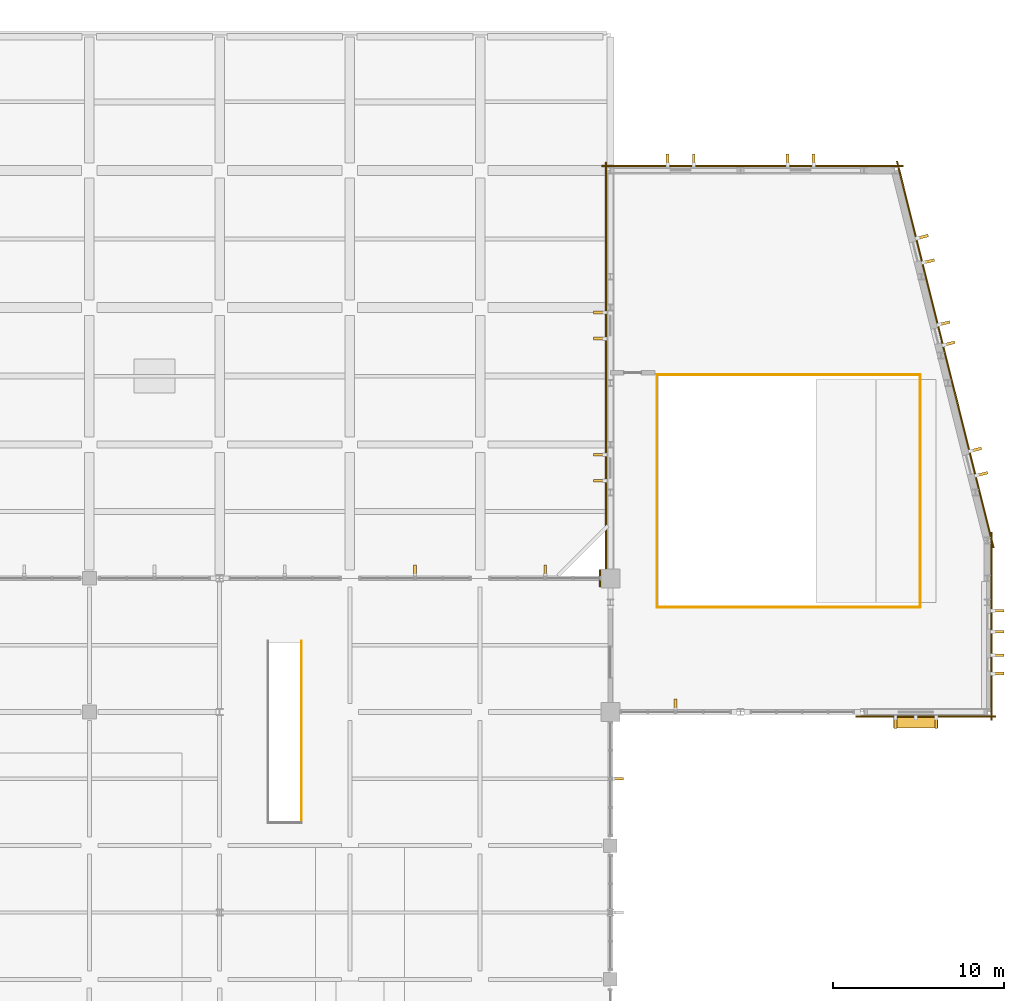
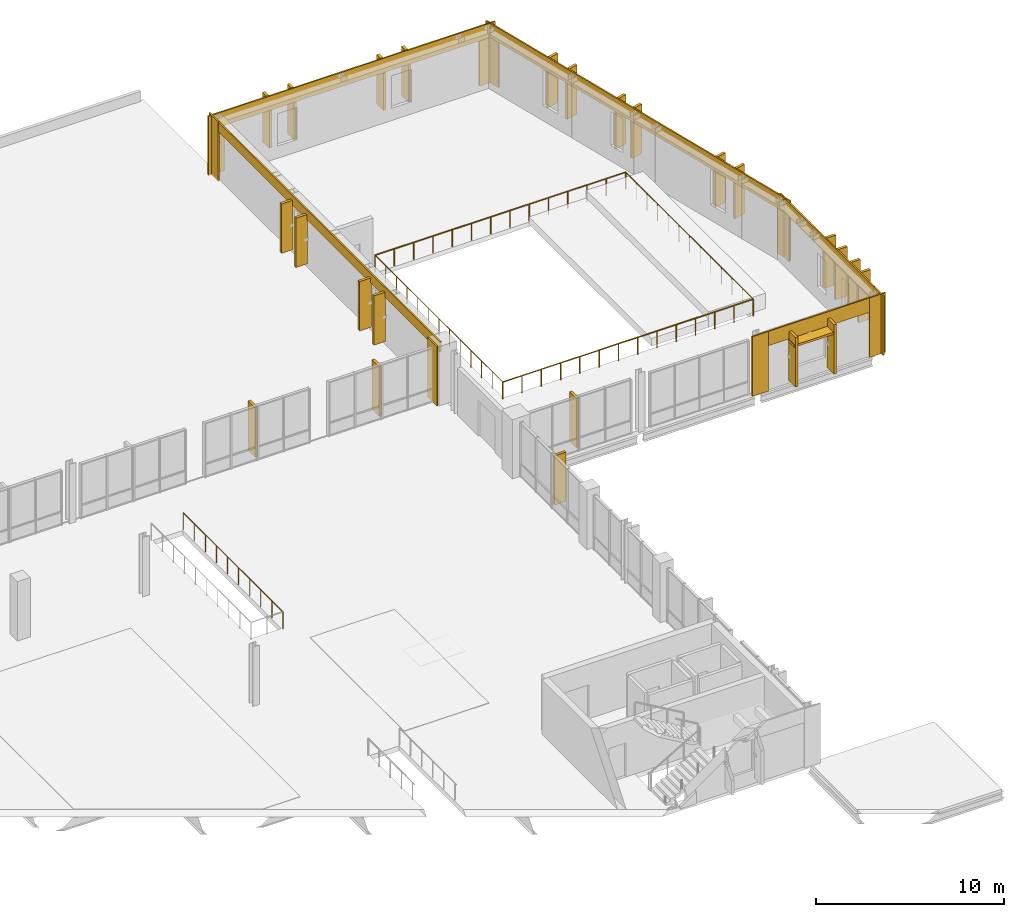
# One storey, part 85 of 85: 25 shading devices, 15 coverings, 5 railings.
"""IFC4 building model written with IfcOpenShell, lengths in metres."""

from ifc_helpers import new_model, si_unit, direction, frame, origin, origin_2d, place, context, subcontext, project, spatial, rectangle, circle, extrude, material, layer, layer_set, type_object, element, save


model = new_model("IFC4")

# Units and contexts
model_context = context("Model", 3, precision=1e-05, world=origin(), true_north=direction((0.0, 1.0)))
body_context = subcontext(model_context, "Body", "Model", "MODEL_VIEW")
ifc_project = project(units=[si_unit("LENGTHUNIT", "METRE"), si_unit("AREAUNIT", "SQUARE_METRE"), si_unit("VOLUMEUNIT", "CUBIC_METRE"), si_unit("PLANEANGLEUNIT", "RADIAN"), si_unit("MASSUNIT", "GRAM", prefix="KILO")], contexts=[model_context])

# Site, building, storey
site_placement = place(None, origin())
site = spatial("IfcSite", under=ifc_project, at=site_placement, CompositionType="ELEMENT")
building_placement = place(site_placement, origin())
building = spatial("IfcBuilding", under=site, at=building_placement, Name="Vervanel Yard Central Library", CompositionType="ELEMENT")
storey_placement = place(building_placement, frame((0.0, 0.0, 5.10009765625)))
storey = spatial("IfcBuildingStorey", under=building, at=storey_placement, Name="L01", CompositionType="ELEMENT", Elevation=5.10009765625)

# Coverings
ifc_material_1 = material(Name="Precast concrete C45/55", Category="concrete")
ifc_layer = layer(ifc_material_1, 0.0849609375, Category="concrete")
ifc_layer_set = layer_set([ifc_layer], Name="Precast concrete C45/55")
covering_type = type_object("IfcCoveringType", Name="Bush-Hammered Precast Architectural Cladding Panel", PredefinedType="CLADDING", material=ifc_layer_set)
covering_1_placement = place(storey_placement, frame((164.39990234375, 74.14990234375, 2.93017578125), z_axis=(0.0, 0.0, 1.0), x_axis=(1.0, 0.0, 0.0)))
element("IfcCovering", 1, at=covering_1_placement, inside=storey, type_object=covering_type, Name="L01 Precast Concrete Spandrel Cornice EWALL-L01-0182", PredefinedType="CLADDING", context=body_context, shape_type="SweptSolid", body=[
    extrude(rectangle(XDim=7.64990234375, YDim=0.0849609375, at=origin_2d()), origin(), (0.0, 0.0, 1.0), 0.929931640625),
])
for number, where, z_axis, x_axis, name in (
    (2, (160.800048828125, 74.1474609375, 0.0), (0.0, 0.0, 1.0), (1.0, 0.0, 0.0), "L01 Precast Concrete Pier Pilaster EWALL-L01-0182-A"),
    (3, (168.0, 74.1474609375, 0.0), (0.0, 0.0, 1.0), (1.0, 0.0, 0.0), "L01 Precast Concrete Pier Pilaster EWALL-L01-0182-B"),
):
    element("IfcCovering", number, at=place(storey_placement, frame(where, z_axis=z_axis, x_axis=x_axis)), inside=storey, type_object=covering_type, Name=name, PredefinedType="CLADDING", context=body_context, shape_type="SweptSolid", body=[
        extrude(rectangle(XDim=0.97998046875, YDim=0.0849609375, at=origin_2d()), origin(), (0.0, 0.0, 1.0), 3.860107421875),
    ])
covering_2_placement = place(storey_placement, frame((168.25, 79.39990234375, 2.93017578125), z_axis=(0.0, 0.0, 1.0), x_axis=(0.0, 1.0, 0.0)))
element("IfcCovering", 4, at=covering_2_placement, inside=storey, type_object=covering_type, Name="L01 Precast Concrete Spandrel Cornice EWALL-L01-0183", PredefinedType="CLADDING", context=body_context, shape_type="SweptSolid", body=[
    extrude(rectangle(XDim=10.449951171875, YDim=0.0849609375, at=origin_2d()), origin(), (0.0, 0.0, 1.0), 0.929931640625),
])
for number, where, z_axis, x_axis, name in (
    (5, (168.25244140625, 74.39990234375, 0.0), (0.0, 0.0, 1.0), (0.0, 1.0, 0.0), "L01 Precast Concrete Pier Pilaster EWALL-L01-0183-A"),
    (6, (168.25244140625, 84.39990234375, 0.0), (0.0, 0.0, 1.0), (0.0, 1.0, 0.0), "L01 Precast Concrete Pier Pilaster EWALL-L01-0183-B"),
):
    element("IfcCovering", number, at=place(storey_placement, frame(where, z_axis=z_axis, x_axis=x_axis)), inside=storey, type_object=covering_type, Name=name, PredefinedType="CLADDING", context=body_context, shape_type="SweptSolid", body=[
        extrude(rectangle(XDim=0.97998046875, YDim=0.0849609375, at=origin_2d()), origin(), (0.0, 0.0, 1.0), 3.860107421875),
    ])
covering_3_placement = place(storey_placement, frame((165.54248046875, 95.260498046875, 2.93017578125), z_axis=(0.0, 0.0, 1.0), x_axis=(-0.242534889029, 0.970142684147, 0.0)))
element("IfcCovering", 7, at=covering_3_placement, inside=storey, type_object=covering_type, Name="L01 Precast Concrete Spandrel Cornice EWALL-L01-0184", PredefinedType="CLADDING", context=body_context, shape_type="SweptSolid", body=[
    extrude(rectangle(XDim=22.71484375, YDim=0.0849609375, at=origin_2d()), origin(), (0.0, 0.0, 1.0), 0.929931640625),
])
for number, where, z_axis, x_axis, name in (
    (8, (168.2451171875, 84.461181640625, 0.0), (0.0, 0.0, 1.0), (-0.242534889029, 0.970142684147, 0.0), "L01 Precast Concrete Pier Pilaster EWALL-L01-0184-A"),
    (9, (162.844970703125, 106.061279296875, 0.0), (0.0, 0.0, 1.0), (-0.242534889029, 0.970142684147, 0.0), "L01 Precast Concrete Pier Pilaster EWALL-L01-0184-B"),
):
    element("IfcCovering", number, at=place(storey_placement, frame(where, z_axis=z_axis, x_axis=x_axis)), inside=storey, type_object=covering_type, Name=name, PredefinedType="CLADDING", context=body_context, shape_type="SweptSolid", body=[
        extrude(rectangle(XDim=0.97998046875, YDim=0.0849609375, at=origin_2d()), origin(), (0.0, 0.0, 1.0), 3.860107421875),
    ])
covering_4_placement = place(storey_placement, frame((154.300048828125, 106.25, 2.93017578125), z_axis=(0.0, 0.0, 1.0), x_axis=(1.0, 0.0, 0.0)))
element("IfcCovering", 10, at=covering_4_placement, inside=storey, type_object=covering_type, Name="L01 Precast Concrete Spandrel Cornice EWALL-L01-0185", PredefinedType="CLADDING", context=body_context, shape_type="SweptSolid", body=[
    extrude(rectangle(XDim=17.050048828125, YDim=0.0849609375, at=origin_2d()), origin(), (0.0, 0.0, 1.0), 0.929931640625),
])
for number, where, z_axis, x_axis, name in (
    (11, (146.0, 106.25244140625, 0.0), (0.0, 0.0, 1.0), (1.0, 0.0, 0.0), "L01 Precast Concrete Pier Pilaster EWALL-L01-0185-A"),
    (12, (162.60009765625, 106.25244140625, 0.0), (0.0, 0.0, 1.0), (1.0, 0.0, 0.0), "L01 Precast Concrete Pier Pilaster EWALL-L01-0185-B"),
):
    element("IfcCovering", number, at=place(storey_placement, frame(where, z_axis=z_axis, x_axis=x_axis)), inside=storey, type_object=covering_type, Name=name, PredefinedType="CLADDING", context=body_context, shape_type="SweptSolid", body=[
        extrude(rectangle(XDim=0.97998046875, YDim=0.0849609375, at=origin_2d()), origin(), (0.0, 0.0, 1.0), 3.860107421875),
    ])
covering_5_placement = place(storey_placement, frame((145.75, 94.10009765625, 3.2197265625), z_axis=(0.0, 0.0, 1.0), x_axis=(0.0, 1.0, 0.0)))
element("IfcCovering", 13, at=covering_5_placement, inside=storey, type_object=covering_type, Name="L01 Precast Concrete Spandrel Cornice EWALL-L01-0190", PredefinedType="CLADDING", context=body_context, shape_type="SweptSolid", body=[
    extrude(rectangle(XDim=24.25, YDim=0.0849609375, at=origin_2d()), origin(), (0.0, 0.0, 1.0), 0.639892578125),
])
for number, where, z_axis, x_axis, name in (
    (14, (145.407470703125, 82.199951171875, 0.0), (0.0, 0.0, 1.0), (0.0, 1.0, 0.0), "L01 Precast Concrete Pier Pilaster EWALL-L01-0190-A"),
    (15, (145.74755859375, 106.0, 0.0), (0.0, 0.0, 1.0), (0.0, 1.0, 0.0), "L01 Precast Concrete Pier Pilaster EWALL-L01-0190-B"),
):
    element("IfcCovering", number, at=place(storey_placement, frame(where, z_axis=z_axis, x_axis=x_axis)), inside=storey, type_object=covering_type, Name=name, PredefinedType="CLADDING", context=body_context, shape_type="SweptSolid", body=[
        extrude(rectangle(XDim=0.97998046875, YDim=0.0849609375, at=origin_2d()), origin(), (0.0, 0.0, 1.0), 3.860107421875),
    ])

# Railings
ifc_material_2 = material(Name="Brushed stainless steel AISI 316", Category="steel")
railing_type = type_object("IfcRailingType", Name="Glazed Atrium & Gallery Balustrade 1120", PredefinedType="BALUSTRADE", material=ifc_material_2)
railing_1_placement = place(storey_placement, frame((127.97998046875, 67.93994140625, 0.0)))
element("IfcRailing", 16, at=railing_1_placement, inside=storey, type_object=railing_type, Name="L01 Void Guard FST-02-L00-WELLGD E", PredefinedType="BALUSTRADE", context=body_context, shape_type="SweptSolid", body=[
    extrude(circle(Radius=0.02392578125, at=origin_2d()), frame((0.0, 0.0, 1.09619140625), z_axis=(0.0, 1.0, 0.0), x_axis=(-1.0, 0.0, 0.0)), (0.0, 0.0, 1.0), 10.5849609375),
    extrude(circle(Radius=0.02099609375, at=origin_2d()), origin(), (0.0, 0.0, 1.0), 1.072021484375),
    extrude(circle(Radius=0.02099609375, at=origin_2d()), frame((0.0, 1.176025390625, 0.0)), (0.0, 0.0, 1.0), 1.072021484375),
    extrude(circle(Radius=0.02099609375, at=origin_2d()), frame((0.0, 2.352294921875, 0.0)), (0.0, 0.0, 1.0), 1.072021484375),
    extrude(circle(Radius=0.02099609375, at=origin_2d()), frame((0.0, 3.5283203125, 0.0)), (0.0, 0.0, 1.0), 1.072021484375),
    extrude(circle(Radius=0.02099609375, at=origin_2d()), frame((0.0, 4.704345703125, 0.0)), (0.0, 0.0, 1.0), 1.072021484375),
    extrude(circle(Radius=0.02099609375, at=origin_2d()), frame((0.0, 5.880615234375, 0.0)), (0.0, 0.0, 1.0), 1.072021484375),
    extrude(circle(Radius=0.02099609375, at=origin_2d()), frame((0.0, 7.056640625, 0.0)), (0.0, 0.0, 1.0), 1.072021484375),
    extrude(circle(Radius=0.02099609375, at=origin_2d()), frame((0.0, 8.232666015625, 0.0)), (0.0, 0.0, 1.0), 1.072021484375),
    extrude(circle(Radius=0.02099609375, at=origin_2d()), frame((0.0, 9.408935546875, 0.0)), (0.0, 0.0, 1.0), 1.072021484375),
    extrude(circle(Radius=0.02099609375, at=origin_2d()), frame((0.0, 10.5849609375, 0.0)), (0.0, 0.0, 1.0), 1.072021484375),
])
railing_2_placement = place(storey_placement, frame((148.719970703125, 80.52001953125, 0.0)))
element("IfcRailing", 17, at=railing_2_placement, inside=storey, type_object=railing_type, Name="L01 Void Guard V4AUD-GD-L01 S", PredefinedType="BALUSTRADE", context=body_context, shape_type="SweptSolid", body=[
    extrude(circle(Radius=0.02392578125, at=origin_2d()), frame((0.0, 0.0, 1.09619140625), z_axis=(1.0, 0.0, 0.0), x_axis=(0.0, 1.0, 0.0)), (0.0, 0.0, 1.0), 15.360107421875),
    extrude(circle(Radius=0.02099609375, at=origin_2d()), origin(), (0.0, 0.0, 1.0), 1.072021484375),
    extrude(circle(Radius=0.02099609375, at=origin_2d()), frame((1.181640625, 0.0, 0.0)), (0.0, 0.0, 1.0), 1.072021484375),
    extrude(circle(Radius=0.02099609375, at=origin_2d()), frame((2.363037109375, 0.0, 0.0)), (0.0, 0.0, 1.0), 1.072021484375),
    extrude(circle(Radius=0.02099609375, at=origin_2d()), frame((3.544677734375, 0.0, 0.0)), (0.0, 0.0, 1.0), 1.072021484375),
    extrude(circle(Radius=0.02099609375, at=origin_2d()), frame((4.72607421875, 0.0, 0.0)), (0.0, 0.0, 1.0), 1.072021484375),
    extrude(circle(Radius=0.02099609375, at=origin_2d()), frame((5.90771484375, 0.0, 0.0)), (0.0, 0.0, 1.0), 1.072021484375),
    extrude(circle(Radius=0.02099609375, at=origin_2d()), frame((7.08935546875, 0.0, 0.0)), (0.0, 0.0, 1.0), 1.072021484375),
    extrude(circle(Radius=0.02099609375, at=origin_2d()), frame((8.270751953125, 0.0, 0.0)), (0.0, 0.0, 1.0), 1.072021484375),
    extrude(circle(Radius=0.02099609375, at=origin_2d()), frame((9.452392578125, 0.0, 0.0)), (0.0, 0.0, 1.0), 1.072021484375),
    extrude(circle(Radius=0.02099609375, at=origin_2d()), frame((10.634033203125, 0.0, 0.0)), (0.0, 0.0, 1.0), 1.072021484375),
    extrude(circle(Radius=0.02099609375, at=origin_2d()), frame((11.8154296875, 0.0, 0.0)), (0.0, 0.0, 1.0), 1.072021484375),
    extrude(circle(Radius=0.02099609375, at=origin_2d()), frame((12.9970703125, 0.0, 0.0)), (0.0, 0.0, 1.0), 1.072021484375),
    extrude(circle(Radius=0.02099609375, at=origin_2d()), frame((14.178466796875, 0.0, 0.0)), (0.0, 0.0, 1.0), 1.072021484375),
    extrude(circle(Radius=0.02099609375, at=origin_2d()), frame((15.360107421875, 0.0, 0.0)), (0.0, 0.0, 1.0), 1.072021484375),
])
railing_3_placement = place(storey_placement, frame((164.080078125, 80.52001953125, 0.0)))
element("IfcRailing", 18, at=railing_3_placement, inside=storey, type_object=railing_type, Name="L01 Void Guard V4AUD-GD-L01 E", PredefinedType="BALUSTRADE", context=body_context, shape_type="SweptSolid", body=[
    extrude(circle(Radius=0.02392578125, at=origin_2d()), frame((0.0, 0.0, 1.09619140625), z_axis=(0.0, 1.0, 0.0), x_axis=(-1.0, 0.0, 0.0)), (0.0, 0.0, 1.0), 13.56005859375),
    extrude(circle(Radius=0.02099609375, at=origin_2d()), origin(), (0.0, 0.0, 1.0), 1.072021484375),
    extrude(circle(Radius=0.02099609375, at=origin_2d()), frame((0.0, 1.1298828125, 0.0)), (0.0, 0.0, 1.0), 1.072021484375),
    extrude(circle(Radius=0.02099609375, at=origin_2d()), frame((0.0, 2.260009765625, 0.0)), (0.0, 0.0, 1.0), 1.072021484375),
    extrude(circle(Radius=0.02099609375, at=origin_2d()), frame((0.0, 3.39013671875, 0.0)), (0.0, 0.0, 1.0), 1.072021484375),
    extrude(circle(Radius=0.02099609375, at=origin_2d()), frame((0.0, 4.52001953125, 0.0)), (0.0, 0.0, 1.0), 1.072021484375),
    extrude(circle(Radius=0.02099609375, at=origin_2d()), frame((0.0, 5.64990234375, 0.0)), (0.0, 0.0, 1.0), 1.072021484375),
    extrude(circle(Radius=0.02099609375, at=origin_2d()), frame((0.0, 6.780029296875, 0.0)), (0.0, 0.0, 1.0), 1.072021484375),
    extrude(circle(Radius=0.02099609375, at=origin_2d()), frame((0.0, 7.91015625, 0.0)), (0.0, 0.0, 1.0), 1.072021484375),
    extrude(circle(Radius=0.02099609375, at=origin_2d()), frame((0.0, 9.0400390625, 0.0)), (0.0, 0.0, 1.0), 1.072021484375),
    extrude(circle(Radius=0.02099609375, at=origin_2d()), frame((0.0, 10.169921875, 0.0)), (0.0, 0.0, 1.0), 1.072021484375),
    extrude(circle(Radius=0.02099609375, at=origin_2d()), frame((0.0, 11.300048828125, 0.0)), (0.0, 0.0, 1.0), 1.072021484375),
    extrude(circle(Radius=0.02099609375, at=origin_2d()), frame((0.0, 12.43017578125, 0.0)), (0.0, 0.0, 1.0), 1.072021484375),
    extrude(circle(Radius=0.02099609375, at=origin_2d()), frame((0.0, 13.56005859375, 0.0)), (0.0, 0.0, 1.0), 1.072021484375),
])
railing_4_placement = place(storey_placement, frame((164.080078125, 94.080078125, 0.0)))
element("IfcRailing", 19, at=railing_4_placement, inside=storey, type_object=railing_type, Name="L01 Void Guard V4AUD-GD-L01 N", PredefinedType="BALUSTRADE", context=body_context, shape_type="SweptSolid", body=[
    extrude(circle(Radius=0.02392578125, at=origin_2d()), frame((0.0, 0.0, 1.09619140625), z_axis=(-1.0, 0.0, 0.0), x_axis=(0.0, -1.0, 0.0)), (0.0, 0.0, 1.0), 15.360107421875),
    extrude(circle(Radius=0.02099609375, at=origin_2d()), origin(), (0.0, 0.0, 1.0), 1.072021484375),
    extrude(circle(Radius=0.02099609375, at=origin_2d()), frame((-1.181640625, 0.0, 0.0)), (0.0, 0.0, 1.0), 1.072021484375),
    extrude(circle(Radius=0.02099609375, at=origin_2d()), frame((-2.363037109375, 0.0, 0.0)), (0.0, 0.0, 1.0), 1.072021484375),
    extrude(circle(Radius=0.02099609375, at=origin_2d()), frame((-3.544677734375, 0.0, 0.0)), (0.0, 0.0, 1.0), 1.072021484375),
    extrude(circle(Radius=0.02099609375, at=origin_2d()), frame((-4.72607421875, 0.0, 0.0)), (0.0, 0.0, 1.0), 1.072021484375),
    extrude(circle(Radius=0.02099609375, at=origin_2d()), frame((-5.90771484375, 0.0, 0.0)), (0.0, 0.0, 1.0), 1.072021484375),
    extrude(circle(Radius=0.02099609375, at=origin_2d()), frame((-7.08935546875, 0.0, 0.0)), (0.0, 0.0, 1.0), 1.072021484375),
    extrude(circle(Radius=0.02099609375, at=origin_2d()), frame((-8.270751953125, 0.0, 0.0)), (0.0, 0.0, 1.0), 1.072021484375),
    extrude(circle(Radius=0.02099609375, at=origin_2d()), frame((-9.452392578125, 0.0, 0.0)), (0.0, 0.0, 1.0), 1.072021484375),
    extrude(circle(Radius=0.02099609375, at=origin_2d()), frame((-10.634033203125, 0.0, 0.0)), (0.0, 0.0, 1.0), 1.072021484375),
    extrude(circle(Radius=0.02099609375, at=origin_2d()), frame((-11.8154296875, 0.0, 0.0)), (0.0, 0.0, 1.0), 1.072021484375),
    extrude(circle(Radius=0.02099609375, at=origin_2d()), frame((-12.9970703125, 0.0, 0.0)), (0.0, 0.0, 1.0), 1.072021484375),
    extrude(circle(Radius=0.02099609375, at=origin_2d()), frame((-14.178466796875, 0.0, 0.0)), (0.0, 0.0, 1.0), 1.072021484375),
    extrude(circle(Radius=0.02099609375, at=origin_2d()), frame((-15.360107421875, 0.0, 0.0)), (0.0, 0.0, 1.0), 1.072021484375),
])
railing_5_placement = place(storey_placement, frame((148.719970703125, 94.080078125, 0.0)))
element("IfcRailing", 20, at=railing_5_placement, inside=storey, type_object=railing_type, Name="L01 Void Guard V4AUD-GD-L01 W", PredefinedType="BALUSTRADE", context=body_context, shape_type="SweptSolid", body=[
    extrude(circle(Radius=0.02392578125, at=origin_2d()), frame((0.0, 0.0, 1.09619140625), z_axis=(0.0, -1.0, 0.0), x_axis=(1.0, 0.0, 0.0)), (0.0, 0.0, 1.0), 13.56005859375),
    extrude(circle(Radius=0.02099609375, at=origin_2d()), origin(), (0.0, 0.0, 1.0), 1.072021484375),
    extrude(circle(Radius=0.02099609375, at=origin_2d()), frame((0.0, -1.1298828125, 0.0)), (0.0, 0.0, 1.0), 1.072021484375),
    extrude(circle(Radius=0.02099609375, at=origin_2d()), frame((0.0, -2.260009765625, 0.0)), (0.0, 0.0, 1.0), 1.072021484375),
    extrude(circle(Radius=0.02099609375, at=origin_2d()), frame((0.0, -3.39013671875, 0.0)), (0.0, 0.0, 1.0), 1.072021484375),
    extrude(circle(Radius=0.02099609375, at=origin_2d()), frame((0.0, -4.52001953125, 0.0)), (0.0, 0.0, 1.0), 1.072021484375),
    extrude(circle(Radius=0.02099609375, at=origin_2d()), frame((0.0, -5.64990234375, 0.0)), (0.0, 0.0, 1.0), 1.072021484375),
    extrude(circle(Radius=0.02099609375, at=origin_2d()), frame((0.0, -6.780029296875, 0.0)), (0.0, 0.0, 1.0), 1.072021484375),
    extrude(circle(Radius=0.02099609375, at=origin_2d()), frame((0.0, -7.91015625, 0.0)), (0.0, 0.0, 1.0), 1.072021484375),
    extrude(circle(Radius=0.02099609375, at=origin_2d()), frame((0.0, -9.0400390625, 0.0)), (0.0, 0.0, 1.0), 1.072021484375),
    extrude(circle(Radius=0.02099609375, at=origin_2d()), frame((0.0, -10.169921875, 0.0)), (0.0, 0.0, 1.0), 1.072021484375),
    extrude(circle(Radius=0.02099609375, at=origin_2d()), frame((0.0, -11.300048828125, 0.0)), (0.0, 0.0, 1.0), 1.072021484375),
    extrude(circle(Radius=0.02099609375, at=origin_2d()), frame((0.0, -12.43017578125, 0.0)), (0.0, 0.0, 1.0), 1.072021484375),
    extrude(circle(Radius=0.02099609375, at=origin_2d()), frame((0.0, -13.56005859375, 0.0)), (0.0, 0.0, 1.0), 1.072021484375),
])

# Shading devices
shading_device_type_1 = type_object("IfcShadingDeviceType", Name="Horizontal Precast Brise-Soleil Sunhood 2600x680x140", PredefinedType="JALOUSIE", material=ifc_material_1)
shading_device_placement = place(storey_placement, frame((163.824951171875, 73.820068359375, 2.77978515625), z_axis=(0.0, 0.0, 1.0), x_axis=(1.0, 0.0, 0.0)))
element("IfcShadingDevice", 21, at=shading_device_placement, inside=storey, type_object=shading_device_type_1, Name="L01 Precast Horizontal Sunhood 101", PredefinedType="JALOUSIE", context=body_context, shape_type="SweptSolid", body=[
    extrude(rectangle(XDim=2.60009765625, YDim=0.679931640625, at=origin_2d()), origin(), (0.0, 0.0, 1.0), 0.139892578125),
])
shading_device_type_2 = type_object("IfcShadingDeviceType", Name="Vertical Precast Solar Fin 160x720x3200", PredefinedType="JALOUSIE", material=ifc_material_1)
for number, where, z_axis, x_axis, name in (
    (22, (134.60009765625, 82.610107421875, 0.1650390625), (0.0, 0.0, 1.0), (1.0, 0.0, 0.0), "L01 Precast Solar Fin 469"),
    (23, (142.199951171875, 82.610107421875, 0.1650390625), (0.0, 0.0, 1.0), (1.0, 0.0, 0.0), "L01 Precast Solar Fin 470"),
    (24, (146.409912109375, 70.5, 0.1650390625), (0.0, 0.0, 1.0), (0.0, 1.0, 0.0), "L01 Precast Solar Fin 490"),
    (25, (149.800048828125, 74.81005859375, 0.1650390625), (0.0, 0.0, 1.0), (1.0, 0.0, 0.0), "L01 Precast Solar Fin 516"),
    (26, (162.639892578125, 73.7900390625, 0.22509765625), (0.0, 0.0, 1.0), (1.0, 0.0, 0.0), "L01 Precast Solar Fin 517"),
    (27, (165.010009765625, 73.7900390625, 0.22509765625), (0.0, 0.0, 1.0), (1.0, 0.0, 0.0), "L01 Precast Solar Fin 518"),
    (28, (168.610107421875, 76.639892578125, 0.5), (0.0, 0.0, 1.0), (0.0, 1.0, 0.0), "L01 Precast Solar Fin 519"),
    (29, (168.610107421875, 77.7099609375, 0.5), (0.0, 0.0, 1.0), (0.0, 1.0, 0.0), "L01 Precast Solar Fin 520"),
    (30, (168.610107421875, 79.090087890625, 0.5), (0.0, 0.0, 1.0), (0.0, 1.0, 0.0), "L01 Precast Solar Fin 521"),
    (31, (168.610107421875, 80.31005859375, 0.5), (0.0, 0.0, 1.0), (0.0, 1.0, 0.0), "L01 Precast Solar Fin 522"),
    (32, (167.660400390625, 88.273193359375, 0.5498046875), (0.0, 0.0, 1.0), (-0.242534889029, 0.970142684147, 0.0), "L01 Precast Solar Fin 523"),
    (33, (167.303955078125, 89.699462890625, 0.5498046875), (0.0, 0.0, 1.0), (-0.242534889029, 0.970142684147, 0.0), "L01 Precast Solar Fin 524"),
    (34, (165.756591796875, 95.888916015625, 0.5), (0.0, 0.0, 1.0), (-0.242534889029, 0.970142684147, 0.0), "L01 Precast Solar Fin 525"),
    (35, (165.460693359375, 97.072509765625, 0.5), (0.0, 0.0, 1.0), (-0.242534889029, 0.970142684147, 0.0), "L01 Precast Solar Fin 526"),
    (36, (164.555908203125, 100.691162109375, 0.5498046875), (0.0, 0.0, 1.0), (-0.242534889029, 0.970142684147, 0.0), "L01 Precast Solar Fin 527"),
    (37, (164.199462890625, 102.1171875, 0.5498046875), (0.0, 0.0, 1.0), (-0.242534889029, 0.970142684147, 0.0), "L01 Precast Solar Fin 528"),
    (38, (149.340087890625, 106.610107421875, 0.44970703125), (0.0, 0.0, 1.0), (1.0, 0.0, 0.0), "L01 Precast Solar Fin 529"),
    (39, (150.860107421875, 106.610107421875, 0.44970703125), (0.0, 0.0, 1.0), (1.0, 0.0, 0.0), "L01 Precast Solar Fin 530"),
    (40, (156.340087890625, 106.610107421875, 0.44970703125), (0.0, 0.0, 1.0), (1.0, 0.0, 0.0), "L01 Precast Solar Fin 531"),
    (41, (157.860107421875, 106.610107421875, 0.44970703125), (0.0, 0.0, 1.0), (1.0, 0.0, 0.0), "L01 Precast Solar Fin 532"),
    (42, (145.389892578125, 87.889892578125, 0.35009765625), (0.0, 0.0, 1.0), (0.0, 1.0, 0.0), "L01 Precast Solar Fin 549"),
    (43, (145.389892578125, 89.409912109375, 0.35009765625), (0.0, 0.0, 1.0), (0.0, 1.0, 0.0), "L01 Precast Solar Fin 550"),
    (44, (145.389892578125, 96.18994140625, 0.35009765625), (0.0, 0.0, 1.0), (0.0, 1.0, 0.0), "L01 Precast Solar Fin 551"),
    (45, (145.389892578125, 97.7099609375, 0.35009765625), (0.0, 0.0, 1.0), (0.0, 1.0, 0.0), "L01 Precast Solar Fin 552"),
):
    element("IfcShadingDevice", number, at=place(storey_placement, frame(where, z_axis=z_axis, x_axis=x_axis)), inside=storey, type_object=shading_device_type_2, Name=name, PredefinedType="JALOUSIE", context=body_context, shape_type="SweptSolid", body=[
        extrude(rectangle(XDim=0.159912109375, YDim=0.719970703125, at=origin_2d()), origin(), (0.0, 0.0, 1.0), 3.199951171875),
    ])

save(model, "model.ifc")
